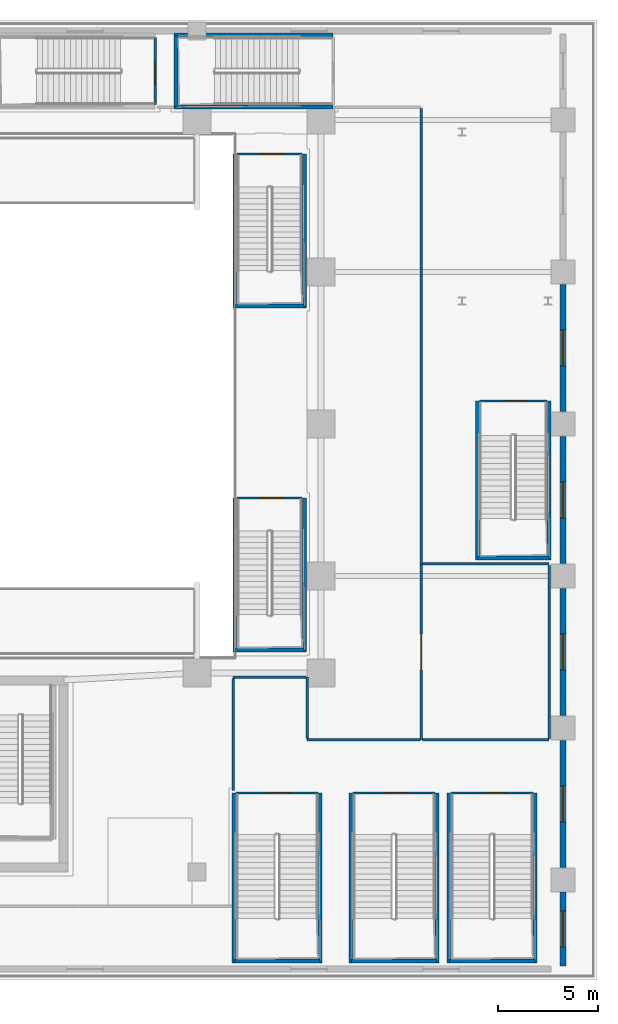
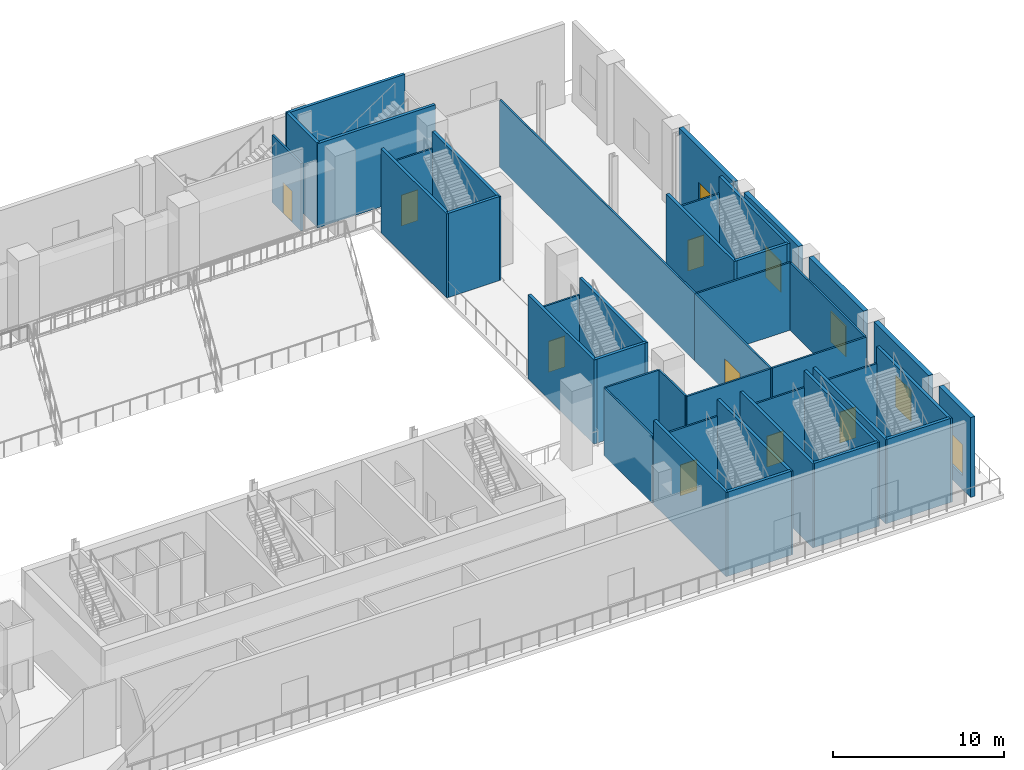
# One storey, part 11 of 30: 42 walls, 8 doors, 5 windows, 13 openings.
"""IFC4 building model written with IfcOpenShell, lengths in metres."""

from ifc_helpers import new_model, si_unit, direction, frame, frame_2d, origin, place, context, subcontext, project, spatial, rectangle, extrude, material, layer, layer_set, type_object, element, fill, save


model = new_model("IFC4")

# Units and contexts
model_context = context("Model", 3, precision=1e-05, world=origin(), true_north=direction((0.0, 1.0)))
body_context = subcontext(model_context, "Body", "Model", "MODEL_VIEW")
ifc_project = project(units=[si_unit("LENGTHUNIT", "METRE"), si_unit("AREAUNIT", "SQUARE_METRE"), si_unit("VOLUMEUNIT", "CUBIC_METRE"), si_unit("PLANEANGLEUNIT", "RADIAN"), si_unit("MASSUNIT", "GRAM", prefix="KILO")], contexts=[model_context])

# Site, building, storey
site_placement = place(None, origin())
site = spatial("IfcSite", under=ifc_project, at=site_placement, CompositionType="ELEMENT")
building_placement = place(site_placement, origin())
building = spatial("IfcBuilding", under=site, at=building_placement, Name="Ndaravel Arena Tower", CompositionType="ELEMENT")
storey_placement = place(building_placement, frame((0.0, 0.0, 6.0)))
storey = spatial("IfcBuildingStorey", under=building, at=storey_placement, Name="L01", CompositionType="ELEMENT", Elevation=6.0)

# Wall
ifc_material_1 = material(Name="Gypsum", Category="gypsum")
ifc_layer_1 = layer(ifc_material_1, 0.125)
ifc_layer_set_1 = layer_set([ifc_layer_1], Name="Gypsum")
wall_type_1 = type_object("IfcWallType", Name="WALL-PART-125", PredefinedType="PARTITIONING", material=ifc_layer_set_1)
wall_1_placement = place(storey_placement, frame((75.199951171875, 43.5849609375, 0.0), z_axis=(0.0, 0.0, 1.0), x_axis=(0.0, -1.0, 0.0)))
element("IfcWall", 1, at=wall_1_placement, inside=storey, type_object=wall_type_1, Name="L01 Interior Partition 019", PredefinedType="PARTITIONING", context=body_context, shape_type="SweptSolid", body=[
    extrude(rectangle(XDim=22.784912109375, YDim=0.125, at=frame_2d((11.392578125, 0.0))), origin(), (0.0, 0.0, 1.0), 4.819091796875),
])

# Wall, opening, door
wall_2_placement = place(storey_placement, frame((75.199951171875, 20.800048828125, 0.0), z_axis=(0.0, 0.0, 1.0), x_axis=(0.0, -1.0, 0.0)))
wall_2 = element("IfcWall", 2, at=wall_2_placement, inside=storey, type_object=wall_type_1, Name="L01 Interior Partition 020", PredefinedType="PARTITIONING", context=body_context, shape_type="SweptSolid", body=[
    extrude(rectangle(XDim=8.800048828125, YDim=0.125, at=frame_2d((4.39990234375, 0.0))), origin(), (0.0, 0.0, 1.0), 4.819091796875),
])
opening_1_placement = place(wall_2_placement, frame((3.5, 0.0, 0.0)))
opening_1 = element("IfcOpeningElement", 3, at=opening_1_placement, cuts=wall_2, Name="Opening AD-01", PredefinedType="OPENING", context=body_context, shape_type="SweptSolid", body=[
    extrude(rectangle(XDim=1.800048828125, YDim=2.300048828125, at=frame_2d((0.89990234375, 1.14990234375))), frame((0.0, 0.0625, 0.0), z_axis=(0.0, -1.0, 0.0), x_axis=(1.0, 0.0, 0.0)), (0.0, 0.0, 1.0), 0.125),
])
ifc_material_2 = material(Name="Steel S355", Category="steel")
door_type_1 = type_object("IfcDoorType", Name="DT-10-ARENA-1800", OperationType="DOUBLE_DOOR_SINGLE_SWING", PredefinedType="DOOR", material=ifc_material_2)
door_1_placement = place(opening_1_placement, origin())
door_1 = element("IfcDoor", 4, at=door_1_placement, inside=storey, type_object=door_type_1, Name="L01 East Spectator Concession & Bar Door", OperationType="SINGLE_SWING_LEFT", OverallHeight=2.300048828125, OverallWidth=1.800048828125, PredefinedType="DOOR", context=body_context, shape_type="SweptSolid", body=[
    extrude(rectangle(XDim=1.800048828125, YDim=2.300048828125, at=frame_2d((0.89990234375, 1.14990234375))), frame((0.0, 0.02490234375, 0.0), z_axis=(0.0, -1.0, 0.0), x_axis=(1.0, 0.0, 0.0)), (0.0, 0.0, 1.0), 0.050048828125),
])
fill(opening_1, door_1)

# Walls
wall_3_placement = place(storey_placement, frame((75.135009765625, 12.0, 0.0), z_axis=(0.0, 0.0, 1.0), x_axis=(-1.0, 0.0, 0.0)))
element("IfcWall", 5, at=wall_3_placement, inside=storey, type_object=wall_type_1, Name="L01 Interior Partition 021", PredefinedType="PARTITIONING", context=body_context, shape_type="SweptSolid", body=[
    extrude(rectangle(XDim=5.635009765625, YDim=0.125, at=frame_2d((2.8173828125, 0.0))), origin(), (0.0, 0.0, 1.0), 4.819091796875),
])
wall_4_placement = place(storey_placement, frame((69.5, 12.06494140625, 0.0), z_axis=(0.0, 0.0, 1.0), x_axis=(0.0, 1.0, 0.0)))
element("IfcWall", 6, at=wall_4_placement, inside=storey, type_object=wall_type_1, Name="L01 Interior Partition 022", PredefinedType="PARTITIONING", context=body_context, shape_type="SweptSolid", body=[
    extrude(rectangle(XDim=3.0849609375, YDim=0.125, at=frame_2d((1.54248046875, 0.0))), origin(), (0.0, 0.0, 1.0), 4.819091796875),
])
wall_5_placement = place(storey_placement, frame((69.43505859375, 15.14990234375, 0.0), z_axis=(0.0, 0.0, 1.0), x_axis=(-1.0, 0.0, 0.0)))
element("IfcWall", 7, at=wall_5_placement, inside=storey, type_object=wall_type_1, Name="L01 Interior Partition 023", PredefinedType="PARTITIONING", context=body_context, shape_type="SweptSolid", body=[
    extrude(rectangle(XDim=3.635009765625, YDim=0.125, at=frame_2d((1.8173828125, 0.0))), origin(), (0.0, 0.0, 1.0), 4.819091796875),
])
wall_6_placement = place(storey_placement, frame((65.800048828125, 15.0849609375, 0.0), z_axis=(0.0, 0.0, 1.0), x_axis=(0.0, -1.0, 0.0)))
element("IfcWall", 8, at=wall_6_placement, inside=storey, type_object=wall_type_1, Name="L01 Interior Partition 024", PredefinedType="PARTITIONING", context=body_context, shape_type="SweptSolid", body=[
    extrude(rectangle(XDim=5.614990234375, YDim=0.125, at=frame_2d((2.8076171875, 0.0))), origin(), (0.0, 0.0, 1.0), 4.819091796875),
])
for number, where, z_axis, x_axis, name in (
    (9, (81.60009765625, 12.0, 0.0), (0.0, 0.0, 1.0), (-1.0, 0.0, 0.0), "L01 Interior Partition 030"),
    (10, (75.264892578125, 20.800048828125, 0.0), (0.0, 0.0, 1.0), (1.0, 0.0, 0.0), "L01 Interior Partition 031"),
):
    element("IfcWall", number, at=place(storey_placement, frame(where, z_axis=z_axis, x_axis=x_axis)), inside=storey, type_object=wall_type_1, Name=name, PredefinedType="PARTITIONING", context=body_context, shape_type="SweptSolid", body=[
        extrude(rectangle(XDim=6.335205078125, YDim=0.125, at=frame_2d((3.16748046875, 0.0))), origin(), (0.0, 0.0, 1.0), 4.819091796875),
    ])
wall_7_placement = place(storey_placement, frame((81.60009765625, 20.735107421875, 0.0), z_axis=(0.0, 0.0, 1.0), x_axis=(0.0, -1.0, 0.0)))
element("IfcWall", 11, at=wall_7_placement, inside=storey, type_object=wall_type_1, Name="L01 Interior Partition 032", PredefinedType="PARTITIONING", context=body_context, shape_type="SweptSolid", body=[
    extrude(rectangle(XDim=8.670166015625, YDim=0.125, at=frame_2d((4.3349609375, 0.0))), origin(), (0.0, 0.0, 1.0), 4.819091796875),
])

# Wall, opening, window
ifc_material_3 = material(Name="Masonry", Category="masonry")
ifc_layer_2 = layer(ifc_material_3, 0.300048828125)
ifc_layer_set_2 = layer_set([ifc_layer_2], Name="Masonry")
wall_type_2 = type_object("IfcWallType", Name="WALL-POD-MAZERAS-300", PredefinedType="SOLIDWALL", material=ifc_layer_set_2)
wall_8_placement = place(storey_placement, frame((82.300048828125, 4.39990234375, 0.0), z_axis=(0.0, 0.0, 1.0), x_axis=(0.0, -1.0, 0.0)))
wall_8 = element("IfcWall", 12, at=wall_8_placement, inside=storey, type_object=wall_type_2, Name="L01 East Mazeras Bay 1", PredefinedType="SOLIDWALL", context=body_context, shape_type="SweptSolid", body=[
    extrude(rectangle(XDim=3.699951171875, YDim=0.300048828125, at=frame_2d((1.85009765625, 0.0))), origin(), (0.0, 0.0, 1.0), 5.699951171875),
])
opening_2_placement = place(wall_8_placement, frame((0.949951171875, 0.0, 1.0)))
opening_2 = element("IfcOpeningElement", 13, at=opening_2_placement, cuts=wall_8, Name="Opening W-PD2", PredefinedType="OPENING", context=body_context, shape_type="SweptSolid", body=[
    extrude(rectangle(XDim=1.800048828125, YDim=2.199951171875, at=frame_2d((0.89990234375, 1.10009765625))), frame((0.0, 0.14990234375, 0.0), z_axis=(0.0, -1.0, 0.0), x_axis=(1.0, 0.0, 0.0)), (0.0, 0.0, 1.0), 0.300048828125),
])
ifc_material_4 = material(Name="Glazing", Category="glass")
window_type = type_object("IfcWindowType", Name="WIN-POD-1800", PartitioningType="SINGLE_PANEL", PredefinedType="WINDOW", material=ifc_material_4)
window_1_placement = place(opening_2_placement, origin())
window_1 = element("IfcWindow", 14, at=window_1_placement, inside=storey, type_object=window_type, Name="L01 East Mazeras Window 1", OverallHeight=2.199951171875, OverallWidth=1.800048828125, PartitioningType="SINGLE_PANEL", PredefinedType="WINDOW", context=body_context, shape_type="SweptSolid", body=[
    extrude(rectangle(XDim=1.800048828125, YDim=2.199951171875, at=frame_2d((0.89990234375, 1.10009765625))), frame((0.0, 0.030029296875, 0.0), z_axis=(0.0, -1.0, 0.0), x_axis=(1.0, 0.0, 0.0)), (0.0, 0.0, 1.0), 0.06005859375),
])
fill(opening_2, window_1)

wall_9_placement = place(storey_placement, frame((82.300048828125, 11.97998046875, 0.0), z_axis=(0.0, 0.0, 1.0), x_axis=(0.0, -1.0, 0.0)))
wall_9 = element("IfcWall", 15, at=wall_9_placement, inside=storey, type_object=wall_type_2, Name="L01 East Mazeras Bay 2", PredefinedType="SOLIDWALL", context=body_context, shape_type="SweptSolid", body=[
    extrude(rectangle(XDim=6.35986328125, YDim=0.300048828125, at=frame_2d((3.179931640625, 0.0))), origin(), (0.0, 0.0, 1.0), 5.699951171875),
])
opening_3_placement = place(wall_9_placement, frame((2.280029296875, 0.0, 1.0)))
opening_3 = element("IfcOpeningElement", 16, at=opening_3_placement, cuts=wall_9, Name="Opening W-PD2", PredefinedType="OPENING", context=body_context, shape_type="SweptSolid", body=[
    extrude(rectangle(XDim=1.800048828125, YDim=2.199951171875, at=frame_2d((0.89990234375, 1.10009765625))), frame((0.0, 0.14990234375, 0.0), z_axis=(0.0, -1.0, 0.0), x_axis=(1.0, 0.0, 0.0)), (0.0, 0.0, 1.0), 0.300048828125),
])
window_2_placement = place(opening_3_placement, origin())
window_2 = element("IfcWindow", 17, at=window_2_placement, inside=storey, type_object=window_type, Name="L01 East Mazeras Window 2", OverallHeight=2.199951171875, OverallWidth=1.800048828125, PartitioningType="SINGLE_PANEL", PredefinedType="WINDOW", context=body_context, shape_type="SweptSolid", body=[
    extrude(rectangle(XDim=1.800048828125, YDim=2.199951171875, at=frame_2d((0.89990234375, 1.10009765625))), frame((0.0, 0.030029296875, 0.0), z_axis=(0.0, -1.0, 0.0), x_axis=(1.0, 0.0, 0.0)), (0.0, 0.0, 1.0), 0.06005859375),
])
fill(opening_3, window_2)

wall_10_placement = place(storey_placement, frame((82.300048828125, 19.580078125, 0.0), z_axis=(0.0, 0.0, 1.0), x_axis=(0.0, -1.0, 0.0)))
wall_10 = element("IfcWall", 18, at=wall_10_placement, inside=storey, type_object=wall_type_2, Name="L01 East Mazeras Bay 3", PredefinedType="SOLIDWALL", context=body_context, shape_type="SweptSolid", body=[
    extrude(rectangle(XDim=6.360107421875, YDim=0.300048828125, at=frame_2d((3.18017578125, 0.0))), origin(), (0.0, 0.0, 1.0), 5.699951171875),
])
opening_4_placement = place(wall_10_placement, frame((2.280029296875, 0.0, 1.0)))
opening_4 = element("IfcOpeningElement", 19, at=opening_4_placement, cuts=wall_10, Name="Opening W-PD2", PredefinedType="OPENING", context=body_context, shape_type="SweptSolid", body=[
    extrude(rectangle(XDim=1.800048828125, YDim=2.199951171875, at=frame_2d((0.89990234375, 1.10009765625))), frame((0.0, 0.14990234375, 0.0), z_axis=(0.0, -1.0, 0.0), x_axis=(1.0, 0.0, 0.0)), (0.0, 0.0, 1.0), 0.300048828125),
])
window_3_placement = place(opening_4_placement, origin())
window_3 = element("IfcWindow", 20, at=window_3_placement, inside=storey, type_object=window_type, Name="L01 East Mazeras Window 3", OverallHeight=2.199951171875, OverallWidth=1.800048828125, PartitioningType="SINGLE_PANEL", PredefinedType="WINDOW", context=body_context, shape_type="SweptSolid", body=[
    extrude(rectangle(XDim=1.800048828125, YDim=2.199951171875, at=frame_2d((0.89990234375, 1.10009765625))), frame((0.0, 0.030029296875, 0.0), z_axis=(0.0, -1.0, 0.0), x_axis=(1.0, 0.0, 0.0)), (0.0, 0.0, 1.0), 0.06005859375),
])
fill(opening_4, window_3)

wall_11_placement = place(storey_placement, frame((82.300048828125, 27.179931640625, 0.0), z_axis=(0.0, 0.0, 1.0), x_axis=(0.0, -1.0, 0.0)))
wall_11 = element("IfcWall", 21, at=wall_11_placement, inside=storey, type_object=wall_type_2, Name="L01 East Mazeras Bay 4", PredefinedType="SOLIDWALL", context=body_context, shape_type="SweptSolid", body=[
    extrude(rectangle(XDim=6.35986328125, YDim=0.300048828125, at=frame_2d((3.179931640625, 0.0))), origin(), (0.0, 0.0, 1.0), 5.699951171875),
])
opening_5_placement = place(wall_11_placement, frame((2.280029296875, 0.0, 1.0)))
opening_5 = element("IfcOpeningElement", 22, at=opening_5_placement, cuts=wall_11, Name="Opening W-PD2", PredefinedType="OPENING", context=body_context, shape_type="SweptSolid", body=[
    extrude(rectangle(XDim=1.800048828125, YDim=2.199951171875, at=frame_2d((0.89990234375, 1.10009765625))), frame((0.0, 0.14990234375, 0.0), z_axis=(0.0, -1.0, 0.0), x_axis=(1.0, 0.0, 0.0)), (0.0, 0.0, 1.0), 0.300048828125),
])
window_4_placement = place(opening_5_placement, origin())
window_4 = element("IfcWindow", 23, at=window_4_placement, inside=storey, type_object=window_type, Name="L01 East Mazeras Window 4", OverallHeight=2.199951171875, OverallWidth=1.800048828125, PartitioningType="SINGLE_PANEL", PredefinedType="WINDOW", context=body_context, shape_type="SweptSolid", body=[
    extrude(rectangle(XDim=1.800048828125, YDim=2.199951171875, at=frame_2d((0.89990234375, 1.10009765625))), frame((0.0, 0.030029296875, 0.0), z_axis=(0.0, -1.0, 0.0), x_axis=(1.0, 0.0, 0.0)), (0.0, 0.0, 1.0), 0.06005859375),
])
fill(opening_5, window_4)

wall_12_placement = place(storey_placement, frame((82.300048828125, 34.780029296875, 0.0), z_axis=(0.0, 0.0, 1.0), x_axis=(0.0, -1.0, 0.0)))
wall_12 = element("IfcWall", 24, at=wall_12_placement, inside=storey, type_object=wall_type_2, Name="L01 East Mazeras Bay 5", PredefinedType="SOLIDWALL", context=body_context, shape_type="SweptSolid", body=[
    extrude(rectangle(XDim=6.360107421875, YDim=0.300048828125, at=frame_2d((3.18017578125, 0.0))), origin(), (0.0, 0.0, 1.0), 5.699951171875),
])
opening_6_placement = place(wall_12_placement, frame((2.280029296875, 0.0, 1.0)))
opening_6 = element("IfcOpeningElement", 25, at=opening_6_placement, cuts=wall_12, Name="Opening W-PD2", PredefinedType="OPENING", context=body_context, shape_type="SweptSolid", body=[
    extrude(rectangle(XDim=1.800048828125, YDim=2.199951171875, at=frame_2d((0.89990234375, 1.10009765625))), frame((0.0, 0.14990234375, 0.0), z_axis=(0.0, -1.0, 0.0), x_axis=(1.0, 0.0, 0.0)), (0.0, 0.0, 1.0), 0.300048828125),
])
window_5_placement = place(opening_6_placement, origin())
window_5 = element("IfcWindow", 26, at=window_5_placement, inside=storey, type_object=window_type, Name="L01 East Mazeras Window 5", OverallHeight=2.199951171875, OverallWidth=1.800048828125, PartitioningType="SINGLE_PANEL", PredefinedType="WINDOW", context=body_context, shape_type="SweptSolid", body=[
    extrude(rectangle(XDim=1.800048828125, YDim=2.199951171875, at=frame_2d((0.89990234375, 1.10009765625))), frame((0.0, 0.030029296875, 0.0), z_axis=(0.0, -1.0, 0.0), x_axis=(1.0, 0.0, 0.0)), (0.0, 0.0, 1.0), 0.06005859375),
])
fill(opening_6, window_5)

# Wall, opening, door
ifc_material_5 = material(Name="Concrete C40/50", Category="concrete")
ifc_layer_3 = layer(ifc_material_5, 0.1201171875)
ifc_layer_set_3 = layer_set([ifc_layer_3], Name="Concrete C40/50")
wall_type_3 = type_object("IfcWallType", Name="WALL-SHAFT-120", PredefinedType="SOLIDWALL", material=ifc_layer_set_3)
wall_13_placement = place(storey_placement, frame((65.955078125, 9.35009765625, 0.0), z_axis=(0.0, 0.0, 1.0), x_axis=(1.0, 0.0, 0.0)))
wall_13 = element("IfcWall", 27, at=wall_13_placement, inside=storey, type_object=wall_type_3, Name="L01 ST-A04 Entry Wall", PredefinedType="SOLIDWALL", context=body_context, shape_type="SweptSolid", body=[
    extrude(rectangle(XDim=4.08984375, YDim=0.1201171875, at=frame_2d((2.044921875, 0.0))), origin(), (0.0, 0.0, 1.0), 4.819091796875),
])
opening_7_placement = place(wall_13_placement, frame((1.60009765625, 0.0, 0.0)))
opening_7 = element("IfcOpeningElement", 28, at=opening_7_placement, cuts=wall_13, Name="Opening FD-01", PredefinedType="OPENING", context=body_context, shape_type="SweptSolid", body=[
    extrude(rectangle(XDim=1.10009765625, YDim=2.199951171875, at=frame_2d((0.550048828125, 1.10009765625))), frame((0.0, 0.06005859375, 0.0), z_axis=(0.0, -1.0, 0.0), x_axis=(1.0, 0.0, 0.0)), (0.0, 0.0, 1.0), 0.1201171875),
])
ifc_material_6 = material(Name="Steel S355", Category="steel")
door_type_2 = type_object("IfcDoorType", Name="DT-01-STAIR-1100", OperationType="SINGLE_SWING_LEFT", PredefinedType="DOOR", material=ifc_material_6)
door_2_placement = place(opening_7_placement, origin())
door_2 = element("IfcDoor", 29, at=door_2_placement, inside=storey, type_object=door_type_2, Name="L01 ST-A04 Fire Exit Stair Door", OperationType="SINGLE_SWING_RIGHT", OverallHeight=2.199951171875, OverallWidth=1.10009765625, PredefinedType="DOOR", context=body_context, shape_type="SweptSolid", body=[
    extrude(rectangle(XDim=1.10009765625, YDim=2.199951171875, at=frame_2d((0.550048828125, 1.10009765625))), frame((0.0, 0.02490234375, 0.0), z_axis=(0.0, -1.0, 0.0), x_axis=(1.0, 0.0, 0.0)), (0.0, 0.0, 1.0), 0.050048828125),
])
fill(opening_7, door_2)

wall_14_placement = place(storey_placement, frame((71.804931640625, 9.35009765625, 0.0), z_axis=(0.0, 0.0, 1.0), x_axis=(1.0, 0.0, 0.0)))
wall_14 = element("IfcWall", 30, at=wall_14_placement, inside=storey, type_object=wall_type_3, Name="L01 ST-A05 Entry Wall", PredefinedType="SOLIDWALL", context=body_context, shape_type="SweptSolid", body=[
    extrude(rectangle(XDim=4.090087890625, YDim=0.1201171875, at=frame_2d((2.044921875, 0.0))), origin(), (0.0, 0.0, 1.0), 4.819091796875),
])
opening_8_placement = place(wall_14_placement, frame((1.60009765625, 0.0, 0.0)))
opening_8 = element("IfcOpeningElement", 31, at=opening_8_placement, cuts=wall_14, Name="Opening FD-01", PredefinedType="OPENING", context=body_context, shape_type="SweptSolid", body=[
    extrude(rectangle(XDim=1.10009765625, YDim=2.199951171875, at=frame_2d((0.550048828125, 1.10009765625))), frame((0.0, 0.06005859375, 0.0), z_axis=(0.0, -1.0, 0.0), x_axis=(1.0, 0.0, 0.0)), (0.0, 0.0, 1.0), 0.1201171875),
])
door_3_placement = place(opening_8_placement, origin())
door_3 = element("IfcDoor", 32, at=door_3_placement, inside=storey, type_object=door_type_2, Name="L01 ST-A05 Fire Exit Stair Door", OperationType="SINGLE_SWING_RIGHT", OverallHeight=2.199951171875, OverallWidth=1.10009765625, PredefinedType="DOOR", context=body_context, shape_type="SweptSolid", body=[
    extrude(rectangle(XDim=1.10009765625, YDim=2.199951171875, at=frame_2d((0.550048828125, 1.10009765625))), frame((0.0, 0.02490234375, 0.0), z_axis=(0.0, -1.0, 0.0), x_axis=(1.0, 0.0, 0.0)), (0.0, 0.0, 1.0), 0.050048828125),
])
fill(opening_8, door_3)

wall_15_placement = place(storey_placement, frame((76.705078125, 9.35009765625, 0.0), z_axis=(0.0, 0.0, 1.0), x_axis=(1.0, 0.0, 0.0)))
wall_15 = element("IfcWall", 33, at=wall_15_placement, inside=storey, type_object=wall_type_3, Name="L01 ST-A06 Entry Wall", PredefinedType="SOLIDWALL", context=body_context, shape_type="SweptSolid", body=[
    extrude(rectangle(XDim=4.08984375, YDim=0.1201171875, at=frame_2d((2.044921875, 0.0))), origin(), (0.0, 0.0, 1.0), 4.819091796875),
])
opening_9_placement = place(wall_15_placement, frame((1.60009765625, 0.0, 0.0)))
opening_9 = element("IfcOpeningElement", 34, at=opening_9_placement, cuts=wall_15, Name="Opening FD-01", PredefinedType="OPENING", context=body_context, shape_type="SweptSolid", body=[
    extrude(rectangle(XDim=1.10009765625, YDim=2.199951171875, at=frame_2d((0.550048828125, 1.10009765625))), frame((0.0, 0.06005859375, 0.0), z_axis=(0.0, -1.0, 0.0), x_axis=(1.0, 0.0, 0.0)), (0.0, 0.0, 1.0), 0.1201171875),
])
door_4_placement = place(opening_9_placement, origin())
door_4 = element("IfcDoor", 35, at=door_4_placement, inside=storey, type_object=door_type_2, Name="L01 ST-A06 Fire Exit Stair Door", OperationType="SINGLE_SWING_RIGHT", OverallHeight=2.199951171875, OverallWidth=1.10009765625, PredefinedType="DOOR", context=body_context, shape_type="SweptSolid", body=[
    extrude(rectangle(XDim=1.10009765625, YDim=2.199951171875, at=frame_2d((0.550048828125, 1.10009765625))), frame((0.0, 0.02490234375, 0.0), z_axis=(0.0, -1.0, 0.0), x_axis=(1.0, 0.0, 0.0)), (0.0, 0.0, 1.0), 0.050048828125),
])
fill(opening_9, door_4)

wall_16_placement = place(storey_placement, frame((61.89990234375, 47.135009765625, 0.0), z_axis=(0.0, 0.0, 1.0), x_axis=(0.0, -1.0, 0.0)))
wall_16 = element("IfcWall", 36, at=wall_16_placement, inside=storey, type_object=wall_type_3, Name="L01 ST-A10 Entry Wall", PredefinedType="SOLIDWALL", context=body_context, shape_type="SweptSolid", body=[
    extrude(rectangle(XDim=3.3701171875, YDim=0.1201171875, at=frame_2d((1.68505859375, 0.0))), origin(), (0.0, 0.0, 1.0), 4.819091796875),
])
opening_10_placement = place(wall_16_placement, frame((1.239990234375, 0.0, 0.0)))
opening_10 = element("IfcOpeningElement", 37, at=opening_10_placement, cuts=wall_16, Name="Opening FD-01", PredefinedType="OPENING", context=body_context, shape_type="SweptSolid", body=[
    extrude(rectangle(XDim=1.10009765625, YDim=2.199951171875, at=frame_2d((0.550048828125, 1.10009765625))), frame((0.0, 0.06005859375, 0.0), z_axis=(0.0, -1.0, 0.0), x_axis=(1.0, 0.0, 0.0)), (0.0, 0.0, 1.0), 0.1201171875),
])
door_5_placement = place(opening_10_placement, origin())
door_5 = element("IfcDoor", 38, at=door_5_placement, inside=storey, type_object=door_type_2, Name="L01 ST-A10 Fire Exit Stair Door", OperationType="SINGLE_SWING_RIGHT", OverallHeight=2.199951171875, OverallWidth=1.10009765625, PredefinedType="DOOR", context=body_context, shape_type="SweptSolid", body=[
    extrude(rectangle(XDim=1.10009765625, YDim=2.199951171875, at=frame_2d((0.550048828125, 1.10009765625))), frame((0.0, 0.02490234375, 0.0), z_axis=(0.0, -1.0, 0.0), x_axis=(1.0, 0.0, 0.0)), (0.0, 0.0, 1.0), 0.050048828125),
])
fill(opening_10, door_5)

wall_17_placement = place(storey_placement, frame((78.125, 28.949951171875, 0.0), z_axis=(0.0, 0.0, 1.0), x_axis=(1.0, 0.0, 0.0)))
wall_17 = element("IfcWall", 39, at=wall_17_placement, inside=storey, type_object=wall_type_3, Name="L01 ST-A12 Entry Wall", PredefinedType="SOLIDWALL", context=body_context, shape_type="SweptSolid", body=[
    extrude(rectangle(XDim=3.3701171875, YDim=0.1201171875, at=frame_2d((1.68505859375, 0.0))), origin(), (0.0, 0.0, 1.0), 4.819091796875),
])
opening_11_placement = place(wall_17_placement, frame((1.239990234375, 0.0, 0.0)))
opening_11 = element("IfcOpeningElement", 40, at=opening_11_placement, cuts=wall_17, Name="Opening FD-01", PredefinedType="OPENING", context=body_context, shape_type="SweptSolid", body=[
    extrude(rectangle(XDim=1.10009765625, YDim=2.199951171875, at=frame_2d((0.550048828125, 1.10009765625))), frame((0.0, 0.06005859375, 0.0), z_axis=(0.0, -1.0, 0.0), x_axis=(1.0, 0.0, 0.0)), (0.0, 0.0, 1.0), 0.1201171875),
])
door_6_placement = place(opening_11_placement, origin())
door_6 = element("IfcDoor", 41, at=door_6_placement, inside=storey, type_object=door_type_2, Name="L01 ST-A12 Fire Exit Stair Door", OperationType="SINGLE_SWING_RIGHT", OverallHeight=2.199951171875, OverallWidth=1.10009765625, PredefinedType="DOOR", context=body_context, shape_type="SweptSolid", body=[
    extrude(rectangle(XDim=1.10009765625, YDim=2.199951171875, at=frame_2d((0.550048828125, 1.10009765625))), frame((0.0, 0.02490234375, 0.0), z_axis=(0.0, -1.0, 0.0), x_axis=(1.0, 0.0, 0.0)), (0.0, 0.0, 1.0), 0.050048828125),
])
fill(opening_11, door_6)

wall_18_placement = place(storey_placement, frame((66.0048828125, 24.10009765625, 0.0), z_axis=(0.0, 0.0, 1.0), x_axis=(1.0, 0.0, 0.0)))
wall_18 = element("IfcWall", 42, at=wall_18_placement, inside=storey, type_object=wall_type_3, Name="L01 ST-VOM-3 Entry Wall", PredefinedType="SOLIDWALL", context=body_context, shape_type="SweptSolid", body=[
    extrude(rectangle(XDim=3.25, YDim=0.1201171875, at=frame_2d((1.625, 0.0))), origin(), (0.0, 0.0, 1.0), 4.819091796875),
])
opening_12_placement = place(wall_18_placement, frame((1.179931640625, 0.0, 0.0)))
opening_12 = element("IfcOpeningElement", 43, at=opening_12_placement, cuts=wall_18, Name="Opening FD-01", PredefinedType="OPENING", context=body_context, shape_type="SweptSolid", body=[
    extrude(rectangle(XDim=1.10009765625, YDim=2.199951171875, at=frame_2d((0.550048828125, 1.10009765625))), frame((0.0, 0.06005859375, 0.0), z_axis=(0.0, -1.0, 0.0), x_axis=(1.0, 0.0, 0.0)), (0.0, 0.0, 1.0), 0.1201171875),
])
door_7_placement = place(opening_12_placement, origin())
door_7 = element("IfcDoor", 44, at=door_7_placement, inside=storey, type_object=door_type_2, Name="L01 ST-VOM-3 Fire Exit Stair Door", OperationType="SINGLE_SWING_RIGHT", OverallHeight=2.199951171875, OverallWidth=1.10009765625, PredefinedType="DOOR", context=body_context, shape_type="SweptSolid", body=[
    extrude(rectangle(XDim=1.10009765625, YDim=2.199951171875, at=frame_2d((0.550048828125, 1.10009765625))), frame((0.0, 0.02490234375, 0.0), z_axis=(0.0, -1.0, 0.0), x_axis=(1.0, 0.0, 0.0)), (0.0, 0.0, 1.0), 0.050048828125),
])
fill(opening_12, door_7)

wall_19_placement = place(storey_placement, frame((66.0048828125, 41.300048828125, 0.0), z_axis=(0.0, 0.0, 1.0), x_axis=(1.0, 0.0, 0.0)))
wall_19 = element("IfcWall", 45, at=wall_19_placement, inside=storey, type_object=wall_type_3, Name="L01 ST-VOM-4 Entry Wall", PredefinedType="SOLIDWALL", context=body_context, shape_type="SweptSolid", body=[
    extrude(rectangle(XDim=3.25, YDim=0.1201171875, at=frame_2d((1.625, 0.0))), origin(), (0.0, 0.0, 1.0), 4.819091796875),
])
opening_13_placement = place(wall_19_placement, frame((1.179931640625, 0.0, 0.0)))
opening_13 = element("IfcOpeningElement", 46, at=opening_13_placement, cuts=wall_19, Name="Opening FD-01", PredefinedType="OPENING", context=body_context, shape_type="SweptSolid", body=[
    extrude(rectangle(XDim=1.10009765625, YDim=2.199951171875, at=frame_2d((0.550048828125, 1.10009765625))), frame((0.0, 0.06005859375, 0.0), z_axis=(0.0, -1.0, 0.0), x_axis=(1.0, 0.0, 0.0)), (0.0, 0.0, 1.0), 0.1201171875),
])
door_8_placement = place(opening_13_placement, origin())
door_8 = element("IfcDoor", 47, at=door_8_placement, inside=storey, type_object=door_type_2, Name="L01 ST-VOM-4 Fire Exit Stair Door", OperationType="SINGLE_SWING_RIGHT", OverallHeight=2.199951171875, OverallWidth=1.10009765625, PredefinedType="DOOR", context=body_context, shape_type="SweptSolid", body=[
    extrude(rectangle(XDim=1.10009765625, YDim=2.199951171875, at=frame_2d((0.550048828125, 1.10009765625))), frame((0.0, 0.02490234375, 0.0), z_axis=(0.0, -1.0, 0.0), x_axis=(1.0, 0.0, 0.0)), (0.0, 0.0, 1.0), 0.050048828125),
])
fill(opening_13, door_8)

# Walls
ifc_material_7 = material(Name="Concrete C40/50", Category="concrete")
ifc_layer_4 = layer(ifc_material_7, 0.199951171875)
ifc_layer_set_4 = layer_set([ifc_layer_4], Name="Concrete C40/50")
wall_type_4 = type_object("IfcWallType", Name="WALL-SHAFT-200", PredefinedType="SOLIDWALL", material=ifc_layer_set_4)
for number, where, z_axis, x_axis, name in (
    (48, (65.85009765625, 9.35009765625, 0.0), (0.0, 0.0, 1.0), (0.0, -1.0, 0.0), "L01 ST-A04 Shaft Wall Left"),
    (49, (70.14990234375, 9.35009765625, 0.0), (0.0, 0.0, 1.0), (0.0, -1.0, 0.0), "L01 ST-A04 Shaft Wall Right"),
):
    element("IfcWall", number, at=place(storey_placement, frame(where, z_axis=z_axis, x_axis=x_axis)), inside=storey, type_object=wall_type_4, Name=name, PredefinedType="SOLIDWALL", context=body_context, shape_type="SweptSolid", body=[
        extrude(rectangle(XDim=8.5, YDim=0.199951171875, at=frame_2d((4.25, 0.0))), origin(), (0.0, 0.0, 1.0), 6.0),
    ])
wall_20_placement = place(storey_placement, frame((65.860107421875, 0.949951171875, 0.0), z_axis=(0.0, 0.0, 1.0), x_axis=(1.0, 0.0, 0.0)))
element("IfcWall", 50, at=wall_20_placement, inside=storey, type_object=wall_type_4, Name="L01 ST-A04 Shaft Wall Far", PredefinedType="SOLIDWALL", context=body_context, shape_type="SweptSolid", body=[
    extrude(rectangle(XDim=4.27978515625, YDim=0.199951171875, at=frame_2d((2.139892578125, 0.0))), origin(), (0.0, 0.0, 1.0), 6.0),
])
for number, where, z_axis, x_axis, name in (
    (51, (71.699951171875, 9.35009765625, 0.0), (0.0, 0.0, 1.0), (0.0, -1.0, 0.0), "L01 ST-A05 Shaft Wall Left"),
    (52, (76.0, 9.35009765625, 0.0), (0.0, 0.0, 1.0), (0.0, -1.0, 0.0), "L01 ST-A05 Shaft Wall Right"),
):
    element("IfcWall", number, at=place(storey_placement, frame(where, z_axis=z_axis, x_axis=x_axis)), inside=storey, type_object=wall_type_4, Name=name, PredefinedType="SOLIDWALL", context=body_context, shape_type="SweptSolid", body=[
        extrude(rectangle(XDim=8.5, YDim=0.199951171875, at=frame_2d((4.25, 0.0))), origin(), (0.0, 0.0, 1.0), 6.0),
    ])
wall_21_placement = place(storey_placement, frame((71.7099609375, 0.949951171875, 0.0), z_axis=(0.0, 0.0, 1.0), x_axis=(1.0, 0.0, 0.0)))
element("IfcWall", 53, at=wall_21_placement, inside=storey, type_object=wall_type_4, Name="L01 ST-A05 Shaft Wall Far", PredefinedType="SOLIDWALL", context=body_context, shape_type="SweptSolid", body=[
    extrude(rectangle(XDim=4.280029296875, YDim=0.199951171875, at=frame_2d((2.14013671875, 0.0))), origin(), (0.0, 0.0, 1.0), 6.0),
])
for number, where, z_axis, x_axis, name in (
    (54, (76.60009765625, 9.35009765625, 0.0), (0.0, 0.0, 1.0), (0.0, -1.0, 0.0), "L01 ST-A06 Shaft Wall Left"),
    (55, (80.89990234375, 9.35009765625, 0.0), (0.0, 0.0, 1.0), (0.0, -1.0, 0.0), "L01 ST-A06 Shaft Wall Right"),
):
    element("IfcWall", number, at=place(storey_placement, frame(where, z_axis=z_axis, x_axis=x_axis)), inside=storey, type_object=wall_type_4, Name=name, PredefinedType="SOLIDWALL", context=body_context, shape_type="SweptSolid", body=[
        extrude(rectangle(XDim=8.5, YDim=0.199951171875, at=frame_2d((4.25, 0.0))), origin(), (0.0, 0.0, 1.0), 6.0),
    ])
wall_22_placement = place(storey_placement, frame((76.610107421875, 0.949951171875, 0.0), z_axis=(0.0, 0.0, 1.0), x_axis=(1.0, 0.0, 0.0)))
element("IfcWall", 56, at=wall_22_placement, inside=storey, type_object=wall_type_4, Name="L01 ST-A06 Shaft Wall Far", PredefinedType="SOLIDWALL", context=body_context, shape_type="SweptSolid", body=[
    extrude(rectangle(XDim=4.27978515625, YDim=0.199951171875, at=frame_2d((2.139892578125, 0.0))), origin(), (0.0, 0.0, 1.0), 6.0),
])
for number, where, z_axis, x_axis, name in (
    (57, (70.800048828125, 47.239990234375, 0.0), (0.0, 0.0, 1.0), (-1.0, 0.0, 0.0), "L01 ST-A11 Shaft Wall Left"),
    (58, (70.800048828125, 43.659912109375, 0.0), (0.0, 0.0, 1.0), (-1.0, 0.0, 0.0), "L01 ST-A11 Shaft Wall Right"),
):
    element("IfcWall", number, at=place(storey_placement, frame(where, z_axis=z_axis, x_axis=x_axis)), inside=storey, type_object=wall_type_4, Name=name, PredefinedType="SOLIDWALL", context=body_context, shape_type="SweptSolid", body=[
        extrude(rectangle(XDim=7.949951171875, YDim=0.199951171875, at=frame_2d((3.97509765625, 0.0))), origin(), (0.0, 0.0, 1.0), 6.0),
    ])
wall_23_placement = place(storey_placement, frame((62.949951171875, 47.22998046875, 0.0), z_axis=(0.0, 0.0, 1.0), x_axis=(0.0, -1.0, 0.0)))
element("IfcWall", 59, at=wall_23_placement, inside=storey, type_object=wall_type_4, Name="L01 ST-A11 Shaft Wall Far", PredefinedType="SOLIDWALL", context=body_context, shape_type="SweptSolid", body=[
    extrude(rectangle(XDim=3.56005859375, YDim=0.199951171875, at=frame_2d((1.780029296875, 0.0))), origin(), (0.0, 0.0, 1.0), 6.0),
])
for number, where, z_axis, x_axis, name in (
    (60, (78.02001953125, 28.949951171875, 0.0), (0.0, 0.0, 1.0), (0.0, -1.0, 0.0), "L01 ST-A12 Shaft Wall Left"),
    (61, (81.60009765625, 28.949951171875, 0.0), (0.0, 0.0, 1.0), (0.0, -1.0, 0.0), "L01 ST-A12 Shaft Wall Right"),
):
    element("IfcWall", number, at=place(storey_placement, frame(where, z_axis=z_axis, x_axis=x_axis)), inside=storey, type_object=wall_type_4, Name=name, PredefinedType="SOLIDWALL", context=body_context, shape_type="SweptSolid", body=[
        extrude(rectangle(XDim=7.949951171875, YDim=0.199951171875, at=frame_2d((3.97509765625, 0.0))), origin(), (0.0, 0.0, 1.0), 6.0),
    ])
wall_24_placement = place(storey_placement, frame((78.030029296875, 21.10009765625, 0.0), z_axis=(0.0, 0.0, 1.0), x_axis=(1.0, 0.0, 0.0)))
element("IfcWall", 62, at=wall_24_placement, inside=storey, type_object=wall_type_4, Name="L01 ST-A12 Shaft Wall Far", PredefinedType="SOLIDWALL", context=body_context, shape_type="SweptSolid", body=[
    extrude(rectangle(XDim=3.56005859375, YDim=0.199951171875, at=frame_2d((1.780029296875, 0.0))), origin(), (0.0, 0.0, 1.0), 6.0),
])
for number, where, z_axis, x_axis, name in (
    (63, (65.89990234375, 24.10009765625, 0.0), (0.0, 0.0, 1.0), (0.0, -1.0, 0.0), "L01 ST-VOM-3 Shaft Wall Left"),
    (64, (69.360107421875, 24.10009765625, 0.0), (0.0, 0.0, 1.0), (0.0, -1.0, 0.0), "L01 ST-VOM-3 Shaft Wall Right"),
):
    element("IfcWall", number, at=place(storey_placement, frame(where, z_axis=z_axis, x_axis=x_axis)), inside=storey, type_object=wall_type_4, Name=name, PredefinedType="SOLIDWALL", context=body_context, shape_type="SweptSolid", body=[
        extrude(rectangle(XDim=7.7001953125, YDim=0.199951171875, at=frame_2d((3.85009765625, 0.0))), origin(), (0.0, 0.0, 1.0), 6.0),
    ])
wall_25_placement = place(storey_placement, frame((65.909912109375, 16.5, 0.0), z_axis=(0.0, 0.0, 1.0), x_axis=(1.0, 0.0, 0.0)))
element("IfcWall", 65, at=wall_25_placement, inside=storey, type_object=wall_type_4, Name="L01 ST-VOM-3 Shaft Wall Far", PredefinedType="SOLIDWALL", context=body_context, shape_type="SweptSolid", body=[
    extrude(rectangle(XDim=3.440185546875, YDim=0.199951171875, at=frame_2d((1.72021484375, 0.0))), origin(), (0.0, 0.0, 1.0), 6.0),
])
for number, where, z_axis, x_axis, name in (
    (66, (65.89990234375, 41.300048828125, 0.0), (0.0, 0.0, 1.0), (0.0, -1.0, 0.0), "L01 ST-VOM-4 Shaft Wall Left"),
    (67, (69.360107421875, 41.300048828125, 0.0), (0.0, 0.0, 1.0), (0.0, -1.0, 0.0), "L01 ST-VOM-4 Shaft Wall Right"),
):
    element("IfcWall", number, at=place(storey_placement, frame(where, z_axis=z_axis, x_axis=x_axis)), inside=storey, type_object=wall_type_4, Name=name, PredefinedType="SOLIDWALL", context=body_context, shape_type="SweptSolid", body=[
        extrude(rectangle(XDim=7.699951171875, YDim=0.199951171875, at=frame_2d((3.85009765625, 0.0))), origin(), (0.0, 0.0, 1.0), 6.0),
    ])
wall_26_placement = place(storey_placement, frame((65.909912109375, 33.699951171875, 0.0), z_axis=(0.0, 0.0, 1.0), x_axis=(1.0, 0.0, 0.0)))
element("IfcWall", 68, at=wall_26_placement, inside=storey, type_object=wall_type_4, Name="L01 ST-VOM-4 Shaft Wall Far", PredefinedType="SOLIDWALL", context=body_context, shape_type="SweptSolid", body=[
    extrude(rectangle(XDim=3.440185546875, YDim=0.199951171875, at=frame_2d((1.72021484375, 0.0))), origin(), (0.0, 0.0, 1.0), 6.0),
])

save(model, "model.ifc")
